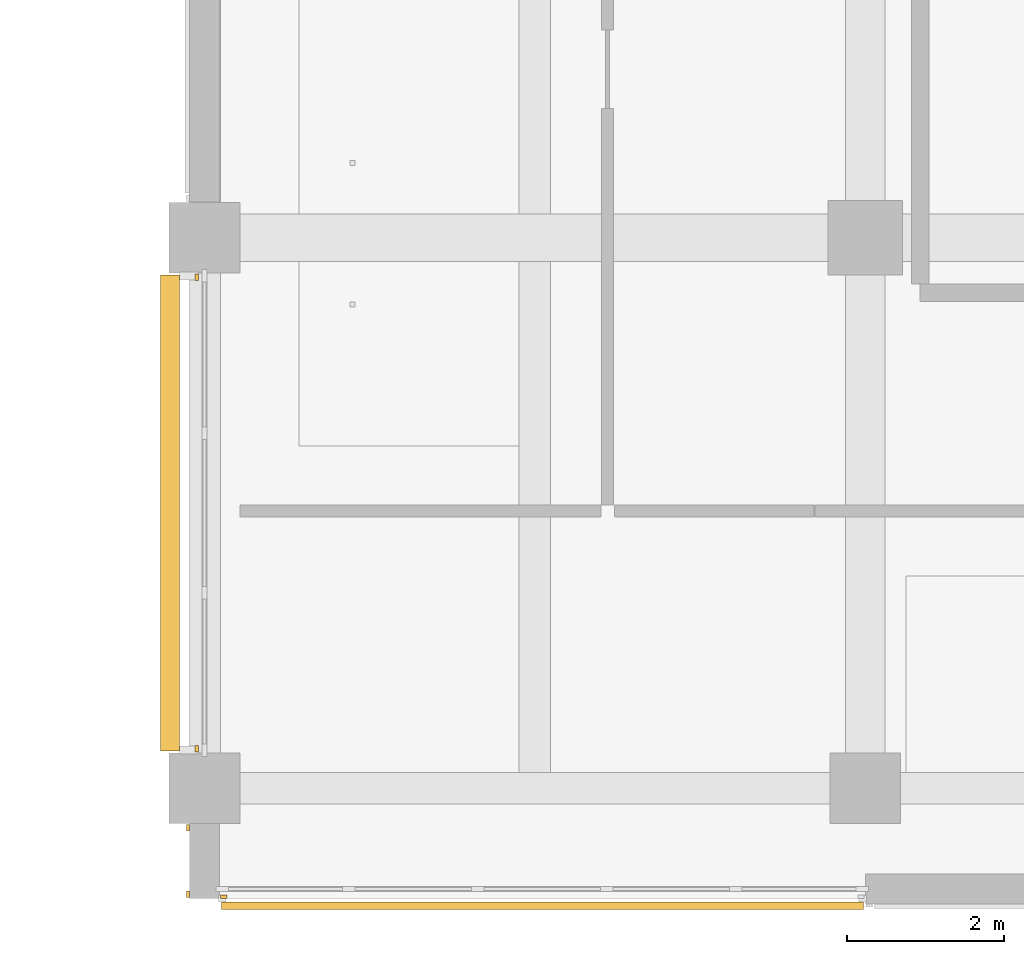
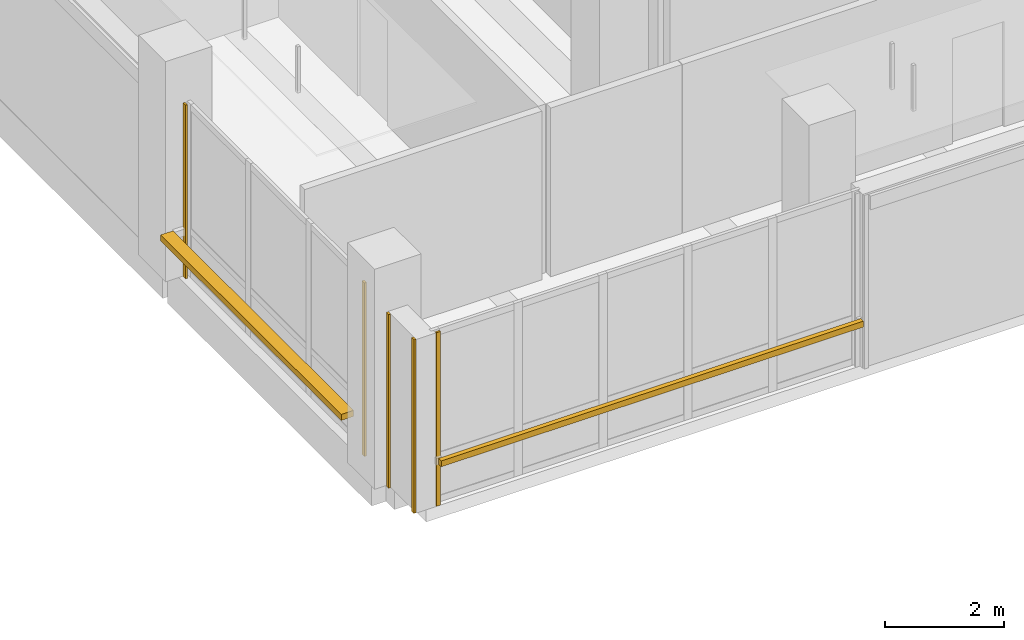
# One storey, part 41 of 59: 5 coverings, 2 shading devices.
"""IFC4 building model written with IfcOpenShell, lengths in metres."""

import ifcopenshell
import ifcopenshell.guid

model = None  # the IFC model being written
_history = None  # IfcOwnerHistory: only IFC2X3 demands one
_inside = {}  # id of a spatial element -> (the spatial element, [elements in it])
_under = {}  # id of a project, library or spatial element -> (it, [spatial elements below it])
_declared = {}  # id of a project -> (the project, [libraries it declares])
_typed = {}  # id of a type object -> (the type object, [elements of that type])
_made_of = {}  # id of a material, layer set ... -> (it, [elements and type objects made of it])


def new_model(schema):
    """Start an empty IFC model of exactly this schema.

    Asked for "IFC4X3", IfcOpenShell would pick the latest addendum, in which some entities
    have other attributes; the version numbers below select the first issue.
    IFC2X3 requires an IfcOwnerHistory on every rooted entity: one is made here for all.
    """
    global model, _history
    if schema == "IFC4X3":
        model = ifcopenshell.file(schema_version=(4, 3, 0, 0))
    else:
        model = ifcopenshell.file(schema=schema)
    _inside.clear()
    _under.clear()
    _declared.clear()
    _typed.clear()
    _made_of.clear()
    _history = None
    if model.schema == "IFC2X3":
        org = make("IfcOrganization", Name="unknown")
        user = make(
            "IfcPersonAndOrganization",
            ThePerson=make("IfcPerson", FamilyName="unknown"),
            TheOrganization=org,
        )
        app = make(
            "IfcApplication",
            ApplicationDeveloper=org,
            Version="unknown",
            ApplicationFullName="unknown",
            ApplicationIdentifier="unknown",
        )
        _history = make(
            "IfcOwnerHistory",
            OwningUser=user,
            OwningApplication=app,
            ChangeAction="ADDED",
            CreationDate=0,
        )
    return model


def make(cls, **values):
    """One entity of the class cls with the attributes given. An attribute that is None is left unset."""
    return model.create_entity(
        cls, **{name: value for name, value in values.items() if value is not None}
    )


def rooted(cls, **values):
    """An entity with a GlobalId (a new one), such as an element, a storey or a relation."""
    return make(cls, GlobalId=ifcopenshell.guid.new(), OwnerHistory=_history, **values)


def si_unit(unit_type, name, prefix=None):
    """IfcSIUnit, for example si_unit("LENGTHUNIT", "METRE", prefix="MILLI")."""
    return make("IfcSIUnit", UnitType=unit_type, Prefix=prefix, Name=name)


def assignment(units):
    """IfcUnitAssignment: the units of a project."""
    return None if units is None else make("IfcUnitAssignment", Units=units)


def point(xyz):
    """IfcCartesianPoint."""
    return None if xyz is None else make("IfcCartesianPoint", Coordinates=xyz)


def direction(xyz):
    """IfcDirection."""
    return None if xyz is None else make("IfcDirection", DirectionRatios=xyz)


def frame(location, z_axis=None, x_axis=None):
    """IfcAxis2Placement3D, a coordinate frame: its origin and axes. An axis left out is left unset."""
    return make(
        "IfcAxis2Placement3D",
        Location=point(location),
        Axis=direction(z_axis),
        RefDirection=direction(x_axis),
    )


def frame_2d(location, x_axis=None):
    """IfcAxis2Placement2D, a coordinate frame in the plane: its origin and x axis."""
    return make(
        "IfcAxis2Placement2D", Location=point(location), RefDirection=direction(x_axis)
    )


def origin():
    """The frame at (0, 0, 0) with its axes left unset."""
    return frame((0.0, 0.0, 0.0))


def origin_2d():
    """The frame at (0, 0) in the plane with its x axis left unset."""
    return frame_2d((0.0, 0.0))


def place(relative_to, where):
    """IfcLocalPlacement: puts the frame where relative to a parent placement (None: the world)."""
    return make(
        "IfcLocalPlacement", PlacementRelTo=relative_to, RelativePlacement=where
    )


def context(
    kind, dimensions, precision=None, world=None, true_north=None, identifier=None
):
    """IfcGeometricRepresentationContext, for example the 3D "Model" context."""
    return make(
        "IfcGeometricRepresentationContext",
        ContextIdentifier=identifier,
        ContextType=kind,
        CoordinateSpaceDimension=dimensions,
        Precision=precision,
        WorldCoordinateSystem=world,
        TrueNorth=true_north,
    )


def subcontext(parent, identifier, kind, view, scale=None):
    """IfcGeometricRepresentationSubContext, for example "Body" below "Model"."""
    return make(
        "IfcGeometricRepresentationSubContext",
        ContextIdentifier=identifier,
        ContextType=kind,
        ParentContext=parent,
        TargetScale=scale,
        TargetView=view,
    )


def project(units=None, contexts=None):
    """IfcProject with its units and contexts."""
    return rooted(
        "IfcProject",
        Name="project",
        RepresentationContexts=contexts,
        UnitsInContext=assignment(units),
    )


def spatial(cls, under=None, at=None, **own):
    """A site, building, storey or space (cls), placed at a placement, below another one or the project."""
    s = rooted(cls, ObjectPlacement=at, **own)
    if under is not None:
        _under.setdefault(under.id(), (under, []))[1].append(s)
    return s


def profile(cls, at=None, kind="AREA", **sizes):
    """A parametric profile (cls). Its sizes go by their IFC names, for example OverallWidth=200.0."""
    return make(cls, ProfileType=kind, Position=at, **sizes)


def rectangle(**sizes):
    """IfcRectangleProfileDef."""
    return profile("IfcRectangleProfileDef", **sizes)


def extrude(swept, where, along, depth):
    """IfcExtrudedAreaSolid: the profile swept, set in the frame where, extruded along a direction by depth."""
    return make(
        "IfcExtrudedAreaSolid",
        SweptArea=swept,
        Position=where,
        ExtrudedDirection=direction(along),
        Depth=depth,
    )


def shape(context_of_items, identifier, shape_type, items):
    """IfcShapeRepresentation: the items that make up one representation, for example the "Body"."""
    return make(
        "IfcShapeRepresentation",
        ContextOfItems=context_of_items,
        RepresentationIdentifier=identifier,
        RepresentationType=shape_type,
        Items=items,
    )


def material(Name=None, Category=None):
    """IfcMaterial."""
    return make("IfcMaterial", Name=Name, Category=Category)


def layer(
    of_material, thickness, ventilated=None, Name=None, Category=None, Priority=None
):
    """IfcMaterialLayer: one layer of a wall or slab, of a material (None: an air gap)."""
    return make(
        "IfcMaterialLayer",
        Material=of_material,
        LayerThickness=thickness,
        IsVentilated=ventilated,
        Name=Name,
        Category=Category,
        Priority=Priority,
    )


def layer_set(layers, Name=None):
    """IfcMaterialLayerSet."""
    return make("IfcMaterialLayerSet", MaterialLayers=layers, LayerSetName=Name)


def made_of(thing, what):
    """Note that an element or type object is made of a material, layer set ...; save() writes the relation."""
    if what is not None:
        _made_of.setdefault(what.id(), (what, []))[1].append(thing)
    return thing


def type_object(cls, material=None, **own):
    """A type object (cls), such as IfcWallType, which elements share."""
    return made_of(rooted(cls, **own), material)


def element(
    cls,
    number,
    at=None,
    inside=None,
    cuts=None,
    type_object=None,
    material=None,
    context=None,
    identifier="Body",
    shape_type=None,
    held_by="IfcProductDefinitionShape",
    body=None,
    shapes=None,
    **own,
):
    """One element of the class cls, such as IfcWall. Its Tag is "e" and its number.

    at: its placement. inside: the storey or other place that contains it. cuts: it is an
    opening in that element (IfcRelVoidsElement). A single representation is given by context,
    identifier, shape_type and body (its items); several are given by shapes. held_by: the class
    of the entity that holds the representations. save() writes the other relations.
    """
    e = rooted(cls, Tag="e%d" % number, ObjectPlacement=at, **own)
    if body is not None:
        shapes = [shape(context, identifier, shape_type, body)]
    if shapes is not None:
        e.Representation = make(held_by, Representations=shapes)
    if inside is not None:
        _inside.setdefault(inside.id(), (inside, []))[1].append(e)
    if cuts is not None:
        rooted(
            "IfcRelVoidsElement", RelatingBuildingElement=cuts, RelatedOpeningElement=e
        )
    if type_object is not None:
        _typed.setdefault(type_object.id(), (type_object, []))[1].append(e)
    return made_of(e, material)


def aggregate(whole, parts):
    """IfcRelAggregates: a whole, such as a stair, and the parts it consists of."""
    return rooted("IfcRelAggregates", RelatingObject=whole, RelatedObjects=parts)


def save(model, path):
    """Write the relations noted so far, then the file.

    IfcRelAggregates (storeys below a building ...), IfcRelContainedInSpatialStructure (elements
    in a storey), IfcRelDefinesByType, IfcRelAssociatesMaterial and IfcRelDeclares: one each for
    every whole, place, type object, material and project.
    """
    for whole, parts in _under.values():
        aggregate(whole, parts)
    for where, things in _inside.values():
        rooted(
            "IfcRelContainedInSpatialStructure",
            RelatedElements=things,
            RelatingStructure=where,
        )
    for kind, things in _typed.values():
        rooted("IfcRelDefinesByType", RelatedObjects=things, RelatingType=kind)
    for what, things in _made_of.values():
        rooted("IfcRelAssociatesMaterial", RelatedObjects=things, RelatingMaterial=what)
    for by, libraries in _declared.values():
        rooted("IfcRelDeclares", RelatingContext=by, RelatedDefinitions=libraries)
    model.write(path)


model = new_model("IFC4")

# Units and contexts
model_context = context("Model", 3, precision=1e-05, world=origin(), true_north=direction((0.0, 1.0)))
body_context = subcontext(model_context, "Body", "Model", "MODEL_VIEW")
ifc_project = project(units=[si_unit("LENGTHUNIT", "METRE"), si_unit("AREAUNIT", "SQUARE_METRE"), si_unit("VOLUMEUNIT", "CUBIC_METRE"), si_unit("PLANEANGLEUNIT", "RADIAN"), si_unit("MASSUNIT", "GRAM", prefix="KILO")], contexts=[model_context])

# Site, building, storey
site_placement = place(None, origin())
site = spatial("IfcSite", under=ifc_project, at=site_placement, CompositionType="ELEMENT")
building_placement = place(site_placement, origin())
building = spatial("IfcBuilding", under=site, at=building_placement, Name="Telukmera Botanical Conservatory", CompositionType="ELEMENT")
storey_placement = place(building_placement, frame((0.0, 0.0, 15.0)))
storey = spatial("IfcBuildingStorey", under=building, at=storey_placement, Name="L03", CompositionType="ELEMENT", Elevation=15.0)

# Coverings
ifc_material_1 = material(Name="Granite-faced precast concrete C40/50", Category="masonry")
ifc_layer_1 = layer(ifc_material_1, 0.0400390625)
ifc_layer_set_1 = layer_set([ifc_layer_1], Name="Granite-faced precast concrete C40/50")
covering_type = type_object("IfcCoveringType", Name="Granite Precast Column Pier Reveal Casing", PredefinedType="CLADDING", material=ifc_layer_set_1)
for number, where, z_axis, x_axis, name in (
    (1, (50.18994140625, 9.25, 0.0), (0.0, 0.0, 1.0), (0.0, 1.0, 0.0), "Granite Pier Reveal V4:L03:SWC L"),
    (2, (50.18994140625, 10.097900390625, 0.0), (0.0, 0.0, 1.0), (0.0, 1.0, 0.0), "Granite Pier Reveal V4:L03:SWC R"),
    (3, (50.64208984375, 9.219970703125, 0.0), (0.0, 0.0, 1.0), (1.0, 0.0, 0.0), "Granite Pier Reveal V4:L03:S1 L"),
    (4, (50.300048828125, 11.10205078125, 0.0), (0.0, 0.0, 1.0), (0.0, 1.0, 0.0), "Granite Pier Reveal V4:L03:W1 L"),
    (5, (50.300048828125, 17.097900390625, 0.0), (0.0, 0.0, 1.0), (0.0, 1.0, 0.0), "Granite Pier Reveal V4:L03:W1 R"),
):
    element("IfcCovering", number, at=place(storey_placement, frame(where, z_axis=z_axis, x_axis=x_axis)), inside=storey, type_object=covering_type, Name=name, PredefinedType="CLADDING", context=body_context, shape_type="SweptSolid", body=[
        extrude(rectangle(XDim=0.080078125, YDim=0.0400390625, at=origin_2d()), origin(), (0.0, 0.0, 1.0), 3.550048828125),
    ])

# Shading devices
ifc_material_2 = material(Name="Perforated terracotta-anodised aluminium 6063-T6", Category="masonry")
ifc_layer_2 = layer(ifc_material_2, 0.044921875)
ifc_layer_set_2 = layer_set([ifc_layer_2], Name="Perforated terracotta-anodised aluminium 6063-T6")
shading_device_type = type_object("IfcShadingDeviceType", Name="Perforated Terracotta Aluminium Monsoon Brise Soleil", PredefinedType="JALOUSIE", material=ifc_layer_set_2)
shading_device_1_placement = place(storey_placement, frame((54.695068359375, 9.10498046875, 0.889892578125), z_axis=(0.0, 0.0, 1.0), x_axis=(1.0, 0.0, 0.0)))
element("IfcShadingDevice", 6, at=shading_device_1_placement, inside=storey, type_object=shading_device_type, Name="Monsoon Shading BS01 V4:L03:S1", PredefinedType="JALOUSIE", context=body_context, shape_type="SweptSolid", body=[
    extrude(rectangle(XDim=8.166015625, YDim=0.090087890625, at=origin_2d()), origin(), (0.0, 0.0, 1.0), 0.1201171875),
])
shading_device_2_placement = place(storey_placement, frame((49.9599609375, 14.10009765625, 0.889892578125), z_axis=(0.0, 0.0, 1.0), x_axis=(0.0, 1.0, 0.0)))
element("IfcShadingDevice", 7, at=shading_device_2_placement, inside=storey, type_object=shading_device_type, Name="Monsoon Shading BS01 V4:L03:W1", PredefinedType="JALOUSIE", context=body_context, shape_type="SweptSolid", body=[
    extrude(rectangle(XDim=6.055908203125, YDim=0.239990234375, at=origin_2d()), origin(), (0.0, 0.0, 1.0), 0.1201171875),
])

save(model, "model.ifc")
